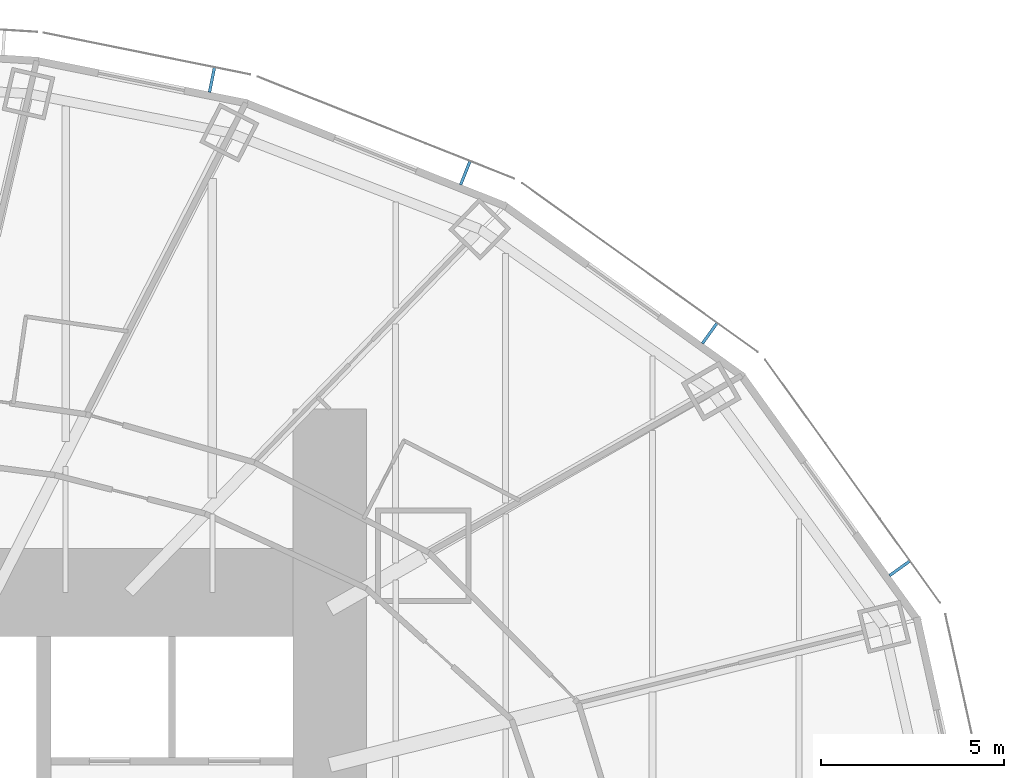
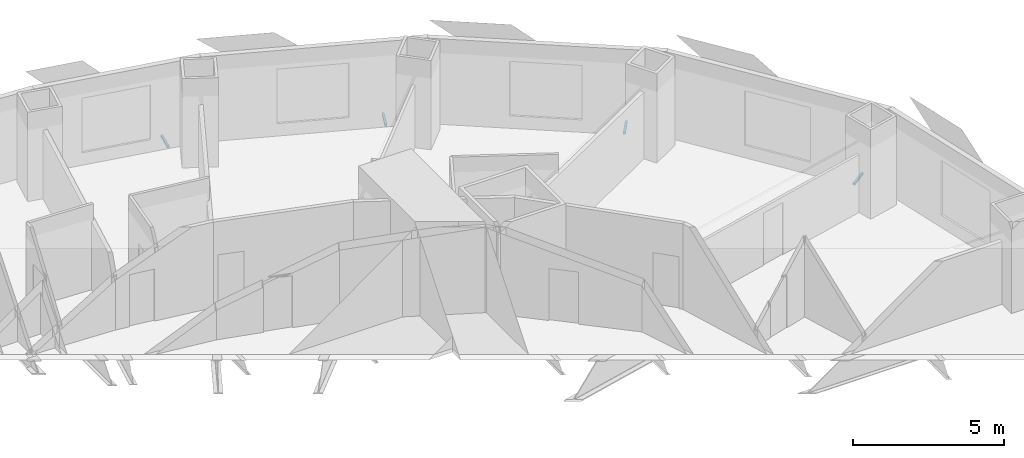
# One storey, part 12 of 15: 4 discrete accessories.
"""IFC4 building model written with IfcOpenShell, lengths in metres."""

from ifc_helpers import new_model, si_unit, direction, frame, origin, origin_2d, place, context, subcontext, project, spatial, rectangle, extrude, element, save


model = new_model("IFC4")

# Units and contexts
model_context = context("Model", 3, precision=1e-05, world=origin(), true_north=direction((0.0, 1.0)))
body_context = subcontext(model_context, "Body", "Model", "MODEL_VIEW")
ifc_project = project(units=[si_unit("LENGTHUNIT", "METRE"), si_unit("AREAUNIT", "SQUARE_METRE"), si_unit("VOLUMEUNIT", "CUBIC_METRE"), si_unit("PLANEANGLEUNIT", "RADIAN"), si_unit("MASSUNIT", "GRAM", prefix="KILO")], contexts=[model_context])

# Site, building, storey
site_placement = place(None, origin())
site = spatial("IfcSite", under=ifc_project, at=site_placement, CompositionType="ELEMENT")
building_placement = place(site_placement, origin())
building = spatial("IfcBuilding", under=site, at=building_placement, Name="Lantaw Convention Tower", CompositionType="ELEMENT")
storey_placement = place(building_placement, frame((0.0, 0.0, 55.0)))
storey = spatial("IfcBuildingStorey", under=building, at=storey_placement, Name="L11", CompositionType="ELEMENT", Elevation=55.0)

# Discrete accessories
for number, where, z_axis, x_axis, name in (
    (1, (28.745849609375, 8.65869140625, -0.114990234375), (0.0, 0.0, 1.0), (-0.583951250436, 0.811788726895, 0.0), "Screen bracket"),
    (2, (23.564453125, 15.06640625, -0.114990234375), (0.0, 0.0, 1.0), (-0.812803733199, 0.5825376308, 0.0), "Screen bracket"),
    (3, (16.898193359375, 19.4345703125, -0.114990234375), (0.0, 0.0, 1.0), (-0.929361152748, 0.369171840425, 0.0), "Screen bracket"),
    (4, (9.990478515625, 21.974365234375, -0.114990234375), (0.0, 0.0, 1.0), (-0.980244604501, 0.197789067813, 0.0), "Screen bracket"),
):
    element("IfcDiscreteAccessory", number, at=place(storey_placement, frame(where, z_axis=z_axis, x_axis=x_axis)), inside=storey, Name=name, PredefinedType="BRACKET", context=body_context, shape_type="SweptSolid", body=[
        extrude(rectangle(XDim=0.080078125, YDim=0.68798828125, at=origin_2d()), origin(), (0.0, 0.0, 1.0), 0.080078125),
    ])

save(model, "model.ifc")
